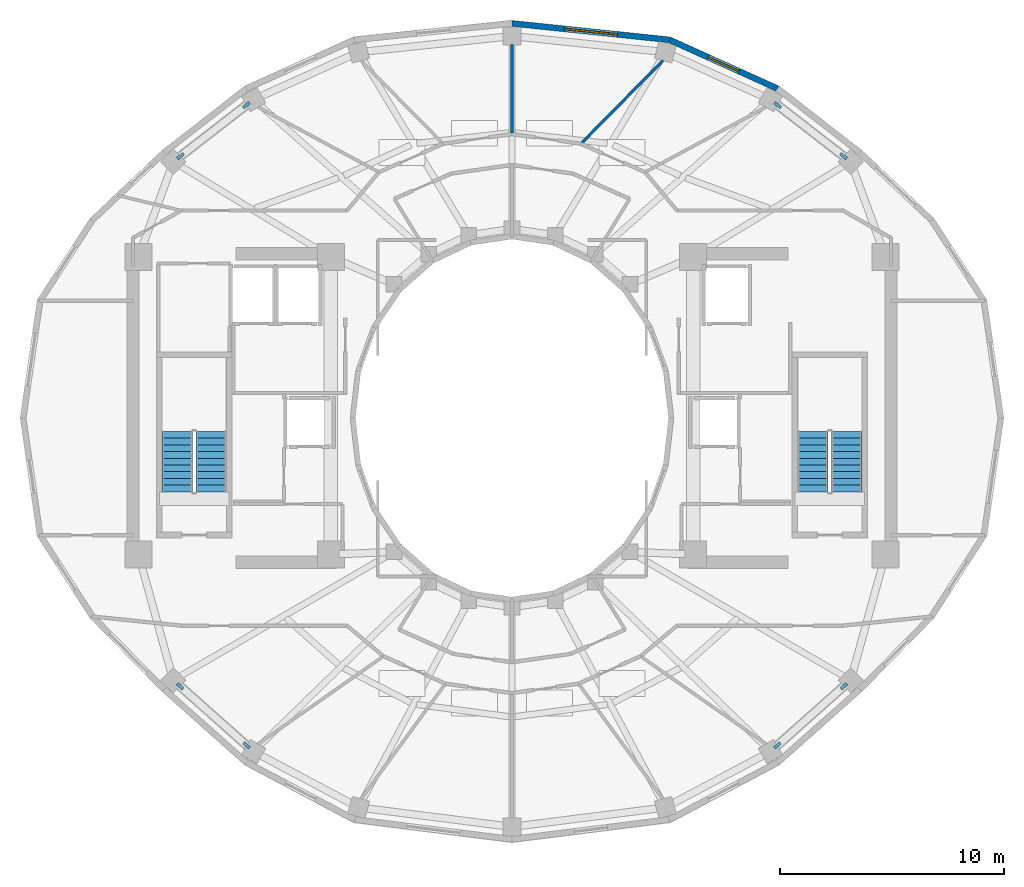
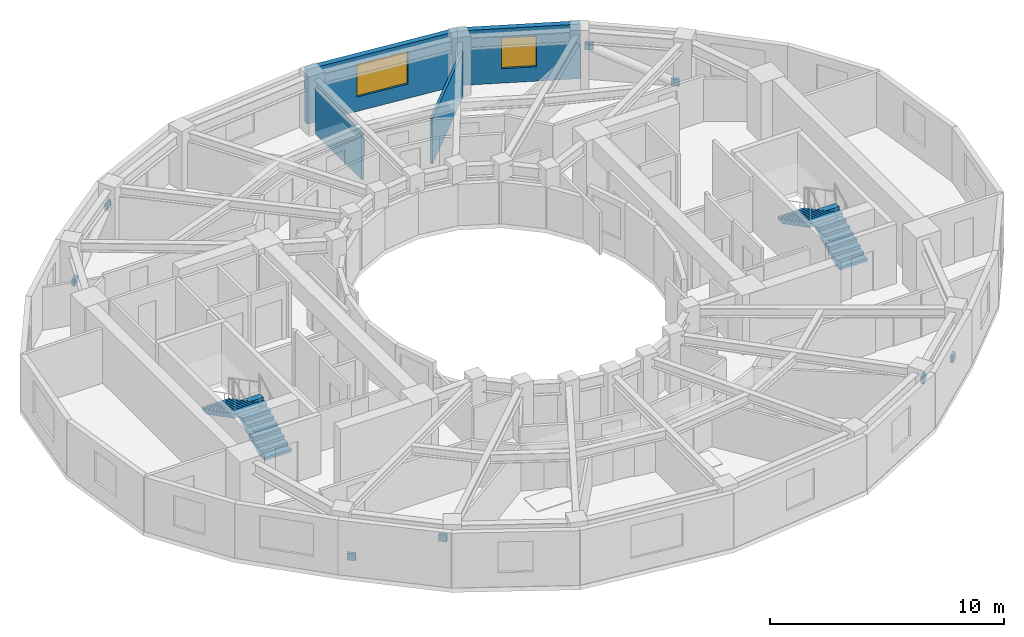
# One storey, part 7 of 9: 8 discrete accessories, 4 stair flights, 4 walls, 2 windows, 2 openings, 2 elements without a shape of their own.
"""IFC4 building model written with IfcOpenShell, lengths in metres."""

from ifc_helpers import new_model, si_unit, direction, frame, frame_2d, origin, origin_2d, place, context, subcontext, project, spatial, polyline, rectangle, outline, extrude, material, layer, layer_set, type_object, element, fill, aggregate, save


model = new_model("IFC4")

# Units and contexts
model_context = context("Model", 3, precision=1e-05, world=origin(), true_north=direction((0.0, 1.0)))
body_context = subcontext(model_context, "Body", "Model", "MODEL_VIEW")
ifc_project = project(units=[si_unit("LENGTHUNIT", "METRE"), si_unit("AREAUNIT", "SQUARE_METRE"), si_unit("VOLUMEUNIT", "CUBIC_METRE"), si_unit("PLANEANGLEUNIT", "RADIAN"), si_unit("MASSUNIT", "GRAM", prefix="KILO")], contexts=[model_context])

# Site, building, storey
site_placement = place(None, origin())
site = spatial("IfcSite", under=ifc_project, at=site_placement, CompositionType="ELEMENT")
building_placement = place(site_placement, origin())
building = spatial("IfcBuilding", under=site, at=building_placement, Name="Solvane Sanctuary Tower", CompositionType="ELEMENT")
storey_placement = place(building_placement, frame((0.0, 0.0, 229.5)))
storey = spatial("IfcBuildingStorey", under=building, at=storey_placement, Name="L70", CompositionType="ELEMENT", Elevation=229.5)

# Wall, opening, window
ifc_material_1 = material(Name="Precast concrete C40/50", Category="concrete")
ifc_layer_1 = layer(ifc_material_1, 0.260009765625, Name="Precast concrete C40/50")
ifc_layer_set_1 = layer_set([ifc_layer_1], Name="Precast concrete C40/50")
wall_type_1 = type_object("IfcWallType", Name="Wall W-EXT-250", PredefinedType="STANDARD", material=ifc_layer_set_1)
wall_1_placement = place(storey_placement, frame((43.8701171875, 37.732666015625, 0.0), z_axis=(0.0, 0.0, 1.0), x_axis=(-0.911427484938, 0.411460738952, 0.0)))
wall_1 = element("IfcWall", 1, at=wall_1_placement, inside=storey, type_object=wall_type_1, Name="L70 Ceramic-Printed Facade Wall 04", PredefinedType="STANDARD", context=body_context, shape_type="SweptSolid", body=[
    extrude(rectangle(XDim=5.296142578125, YDim=0.260009765625, at=frame_2d((2.64794921875, 0.0))), origin(), (0.0, 0.0, 1.0), 2.85009765625),
])
opening_1_placement = place(wall_1_placement, frame((1.898193359375, 0.0, 0.75)))
opening_1 = element("IfcOpeningElement", 2, at=opening_1_placement, cuts=wall_1, Name="Opening WN-OPER-1500", PredefinedType="OPENING", context=body_context, shape_type="SweptSolid", body=[
    extrude(rectangle(XDim=1.5, YDim=1.60009765625, at=frame_2d((0.75, 0.800048828125))), frame((0.0, 0.139892578125, 0.0), z_axis=(0.0, -1.0, 0.0), x_axis=(1.0, 0.0, 0.0)), (0.0, 0.0, 1.0), 0.280029296875),
])
ifc_material_2 = material(Name="Dark Ceramic-Fritted Low-E Glass", Category="glass")
window_type_1 = type_object("IfcWindowType", Name="Window WN-OPER-1500", PartitioningType="SINGLE_PANEL", PredefinedType="WINDOW", material=ifc_material_2)
window_1_placement = place(opening_1_placement, origin())
window_1 = element("IfcWindow", 3, at=window_1_placement, inside=storey, type_object=window_type_1, Name="L70 Operable Facade Window 04", OverallHeight=1.60009765625, OverallWidth=1.5, PartitioningType="SINGLE_PANEL", PredefinedType="WINDOW", context=body_context, shape_type="SweptSolid", body=[
    extrude(rectangle(XDim=1.5, YDim=1.60009765625, at=frame_2d((0.75, 0.800048828125))), frame((0.0, 0.030029296875, 0.0), z_axis=(0.0, -1.0, 0.0), x_axis=(1.0, 0.0, 0.0)), (0.0, 0.0, 1.0), 0.06005859375),
])
fill(opening_1, window_1)

wall_2_placement = place(storey_placement, frame((39.04296875, 39.911865234375, 0.0), z_axis=(0.0, 0.0, 1.0), x_axis=(-0.994582822721, 0.103947144014, 0.0)))
wall_2 = element("IfcWall", 4, at=wall_2_placement, inside=storey, type_object=wall_type_1, Name="L70 Ceramic-Printed Facade Wall 05", PredefinedType="STANDARD", context=body_context, shape_type="SweptSolid", body=[
    extrude(rectangle(XDim=7.081298828125, YDim=0.260009765625, at=frame_2d((3.54052734375, 0.0))), origin(), (0.0, 0.0, 1.0), 2.85009765625),
])
opening_2_placement = place(wall_2_placement, frame((2.3408203125, 0.0, 0.75)))
opening_2 = element("IfcOpeningElement", 5, at=opening_2_placement, cuts=wall_2, Name="Opening WN-RIB-2400", PredefinedType="OPENING", context=body_context, shape_type="SweptSolid", body=[
    extrude(rectangle(XDim=2.39990234375, YDim=1.699951171875, at=frame_2d((1.199951171875, 0.85009765625))), frame((0.0, 0.139892578125, 0.0), z_axis=(0.0, -1.0, 0.0), x_axis=(1.0, 0.0, 0.0)), (0.0, 0.0, 1.0), 0.280029296875),
])
window_type_2 = type_object("IfcWindowType", Name="Window WN-RIB-2400", PartitioningType="SINGLE_PANEL", PredefinedType="WINDOW", material=ifc_material_2)
window_2_placement = place(opening_2_placement, origin())
window_2 = element("IfcWindow", 6, at=window_2_placement, inside=storey, type_object=window_type_2, Name="L70 Operable Facade Window 05", OverallHeight=1.699951171875, OverallWidth=2.39990234375, PartitioningType="SINGLE_PANEL", PredefinedType="WINDOW", context=body_context, shape_type="SweptSolid", body=[
    extrude(rectangle(XDim=2.39990234375, YDim=1.699951171875, at=frame_2d((1.199951171875, 0.85009765625))), frame((0.0, 0.030029296875, 0.0), z_axis=(0.0, -1.0, 0.0), x_axis=(1.0, 0.0, 0.0)), (0.0, 0.0, 1.0), 0.06005859375),
])
fill(opening_2, window_2)

# Walls
ifc_material_3 = material(Name="Acoustic Gypsum Partition Board")
ifc_layer_2 = layer(ifc_material_3, 0.125, Name="Acoustic Gypsum Partition Board")
ifc_layer_set_2 = layer_set([ifc_layer_2], Name="Acoustic Gypsum Partition Board")
wall_type_2 = type_object("IfcWallType", Name="Wall W-PART-125", PredefinedType="PARTITIONING", material=ifc_layer_set_2)
wall_3_placement = place(storey_placement, frame((35.117919921875, 35.304443359375, 0.0), z_axis=(0.0, 0.0, 1.0), x_axis=(0.702191571271, 0.711988059756, 0.0)))
element("IfcWall", 7, at=wall_3_placement, inside=storey, type_object=wall_type_2, Name="L70 Radial Compartment Wall 075", PredefinedType="PARTITIONING", context=body_context, shape_type="SweptSolid", body=[
    extrude(rectangle(XDim=5.18359375, YDim=0.125, at=frame_2d((2.591796875, 0.0))), origin(), (0.0, 0.0, 1.0), 2.3759765625),
])
wall_4_placement = place(storey_placement, frame((32.0, 35.7529296875, 0.0), z_axis=(0.0, 0.0, 1.0), x_axis=(0.0, 1.0, 0.0)))
element("IfcWall", 8, at=wall_4_placement, inside=storey, type_object=wall_type_2, Name="L70 Radial Compartment Wall 090", PredefinedType="PARTITIONING", context=body_context, shape_type="SweptSolid", body=[
    extrude(rectangle(XDim=3.947021484375, YDim=0.125, at=frame_2d((1.9736328125, 0.0))), origin(), (0.0, 0.0, 1.0), 2.3759765625),
])

# Stair, stair flights
ifc_material_4 = material(Name="Concrete C45/55", Category="concrete")
stair_type = type_object("IfcStairType", Name="Stair ST-TOW", PredefinedType="HALF_TURN_STAIR", material=ifc_material_4)
stair_1_placement = place(storey_placement, origin())
stair_1 = element("IfcStair", 9, at=stair_1_placement, inside=storey, type_object=stair_type, Name="L70 Exit Stair ST-1 West Core", PredefinedType="HALF_TURN_STAIR")
stair_flight_type = type_object("IfcStairFlightType", Name="StairFlight SF-TOW", PredefinedType="STRAIGHT", material=ifc_material_4)
stair_flight_1_placement = place(storey_placement, frame((18.544921875, 19.699951171875, 0.0), z_axis=(0.0, 0.0, 1.0), x_axis=(0.0, 1.0, 0.0)))
stair_flight_1 = element("IfcStairFlight", 10, at=stair_flight_1_placement, type_object=stair_flight_type, Name="ST-1 flight 1", NumberOfRisers=10, NumberOfTreads=9, PredefinedType="STRAIGHT", RiserHeight=0.155, TreadLength=0.3, context=body_context, shape_type="SweptSolid", body=[
    extrude(outline(polyline([(0.0, 0.0), (0.0, 0.155029296875), (0.300048828125, 0.155029296875), (0.300048828125, 0.31005859375), (0.60009765625, 0.31005859375), (0.60009765625, 0.465087890625), (0.89990234375, 0.465087890625), (0.89990234375, 0.6201171875), (1.199951171875, 0.6201171875), (1.199951171875, 0.77490234375), (1.5, 0.77490234375), (1.5, 0.929931640625), (1.800048828125, 0.929931640625), (1.800048828125, 1.0849609375), (2.10009765625, 1.0849609375), (2.10009765625, 1.239990234375), (2.39990234375, 1.239990234375), (2.39990234375, 1.39501953125), (2.699951171875, 1.39501953125), (2.699951171875, 1.550048828125), (2.699951171875, 1.1923828125), (0.39208984375, 0.0), (0.0, 0.0)])), frame((0.0, 0.675048828125, 0.0), z_axis=(0.0, -1.0, 0.0), x_axis=(1.0, 0.0, 0.0)), (0.0, 0.0, 1.0), 1.35009765625),
])
stair_flight_2_placement = place(storey_placement, frame((17.034912109375, 22.39990234375, 1.550048828125), z_axis=(0.0, 0.0, 1.0), x_axis=(0.0, -1.0, 0.0)))
stair_flight_2 = element("IfcStairFlight", 11, at=stair_flight_2_placement, type_object=stair_flight_type, Name="ST-1 flight 2", NumberOfRisers=10, NumberOfTreads=9, PredefinedType="STRAIGHT", RiserHeight=0.155, TreadLength=0.3, context=body_context, shape_type="SweptSolid", body=[
    extrude(outline(polyline([(0.0, 0.0), (0.0, 0.155029296875), (0.300048828125, 0.155029296875), (0.300048828125, 0.31005859375), (0.60009765625, 0.31005859375), (0.60009765625, 0.465087890625), (0.89990234375, 0.465087890625), (0.89990234375, 0.6201171875), (1.199951171875, 0.6201171875), (1.199951171875, 0.77490234375), (1.5, 0.77490234375), (1.5, 0.929931640625), (1.800048828125, 0.929931640625), (1.800048828125, 1.0849609375), (2.10009765625, 1.0849609375), (2.10009765625, 1.239990234375), (2.39990234375, 1.239990234375), (2.39990234375, 1.39501953125), (2.699951171875, 1.39501953125), (2.699951171875, 1.550048828125), (2.699951171875, 1.1923828125), (0.39208984375, 0.0), (0.0, 0.0)])), frame((0.0, 0.675048828125, 0.0), z_axis=(0.0, -1.0, 0.0), x_axis=(1.0, 0.0, 0.0)), (0.0, 0.0, 1.0), 1.35009765625),
])
aggregate(stair_1, [stair_flight_1, stair_flight_2])

stair_2_placement = place(storey_placement, origin())
stair_2 = element("IfcStair", 12, at=stair_2_placement, inside=storey, type_object=stair_type, Name="L70 Exit Stair ST-2 East Core", PredefinedType="HALF_TURN_STAIR")
stair_flight_3_placement = place(storey_placement, frame((46.965087890625, 19.699951171875, 0.0), z_axis=(0.0, 0.0, 1.0), x_axis=(0.0, 1.0, 0.0)))
stair_flight_3 = element("IfcStairFlight", 13, at=stair_flight_3_placement, type_object=stair_flight_type, Name="ST-2 flight 1", NumberOfRisers=10, NumberOfTreads=9, PredefinedType="STRAIGHT", RiserHeight=0.155, TreadLength=0.3, context=body_context, shape_type="SweptSolid", body=[
    extrude(outline(polyline([(0.0, 0.0), (0.0, 0.155029296875), (0.300048828125, 0.155029296875), (0.300048828125, 0.31005859375), (0.60009765625, 0.31005859375), (0.60009765625, 0.465087890625), (0.89990234375, 0.465087890625), (0.89990234375, 0.6201171875), (1.199951171875, 0.6201171875), (1.199951171875, 0.77490234375), (1.5, 0.77490234375), (1.5, 0.929931640625), (1.800048828125, 0.929931640625), (1.800048828125, 1.0849609375), (2.10009765625, 1.0849609375), (2.10009765625, 1.239990234375), (2.39990234375, 1.239990234375), (2.39990234375, 1.39501953125), (2.699951171875, 1.39501953125), (2.699951171875, 1.550048828125), (2.699951171875, 1.1923828125), (0.39208984375, 0.0), (0.0, 0.0)])), frame((0.0, 0.675048828125, 0.0), z_axis=(0.0, -1.0, 0.0), x_axis=(1.0, 0.0, 0.0)), (0.0, 0.0, 1.0), 1.35009765625),
])
stair_flight_4_placement = place(storey_placement, frame((45.455078125, 22.39990234375, 1.550048828125), z_axis=(0.0, 0.0, 1.0), x_axis=(0.0, -1.0, 0.0)))
stair_flight_4 = element("IfcStairFlight", 14, at=stair_flight_4_placement, type_object=stair_flight_type, Name="ST-2 flight 2", NumberOfRisers=10, NumberOfTreads=9, PredefinedType="STRAIGHT", RiserHeight=0.155, TreadLength=0.3, context=body_context, shape_type="SweptSolid", body=[
    extrude(outline(polyline([(0.0, 0.0), (0.0, 0.155029296875), (0.300048828125, 0.155029296875), (0.300048828125, 0.31005859375), (0.60009765625, 0.31005859375), (0.60009765625, 0.465087890625), (0.89990234375, 0.465087890625), (0.89990234375, 0.6201171875), (1.199951171875, 0.6201171875), (1.199951171875, 0.77490234375), (1.5, 0.77490234375), (1.5, 0.929931640625), (1.800048828125, 0.929931640625), (1.800048828125, 1.0849609375), (2.10009765625, 1.0849609375), (2.10009765625, 1.239990234375), (2.39990234375, 1.239990234375), (2.39990234375, 1.39501953125), (2.699951171875, 1.39501953125), (2.699951171875, 1.550048828125), (2.699951171875, 1.1923828125), (0.39208984375, 0.0), (0.0, 0.0)])), frame((0.0, 0.675048828125, 0.0), z_axis=(0.0, -1.0, 0.0), x_axis=(1.0, 0.0, 0.0)), (0.0, 0.0, 1.0), 1.35009765625),
])
aggregate(stair_2, [stair_flight_3, stair_flight_4])

# Discrete accessories
ifc_material_5 = material(Name="Steel ASTM A572 Grade 50", Category="steel")
ifc_layer_3 = layer(ifc_material_5, 0.360107421875, Name="Steel ASTM A572 Grade 50")
ifc_layer_set_3 = layer_set([ifc_layer_3], Name="Steel ASTM A572 Grade 50")
discrete_accessory_type = type_object("IfcDiscreteAccessoryType", Name="Accessory ACC-GUSSET-BRK", PredefinedType="BRACKET", material=ifc_layer_set_3)
for number, where, z_axis, x_axis, name in (
    (15, (46.822509765625, 34.71142578125, 0.3681640625), (0.0, 0.0, 1.0), (-0.790689573744, 0.612217280034, 0.0), "L70 Perimeter Braced-Tube Diagonal NE End Gusset Bracket A"),
    (16, (43.8779296875, 36.991455078125, 1.90185546875), (0.0, 0.0, 1.0), (-0.790689573744, 0.612217280034, 0.0), "L70 Perimeter Braced-Tube Diagonal NE End Gusset Bracket B"),
    (17, (17.177490234375, 34.71142578125, 0.3681640625), (0.0, 0.0, 1.0), (0.790689573744, 0.612217280034, 0.0), "L70 Perimeter Braced-Tube Diagonal NW End Gusset Bracket A"),
    (18, (20.1220703125, 36.991455078125, 1.90185546875), (0.0, 0.0, 1.0), (0.790689573744, 0.612217280034, 0.0), "L70 Perimeter Braced-Tube Diagonal NW End Gusset Bracket B"),
    (19, (17.157958984375, 11.009765625, 0.35791015625), (0.0, 0.0, 1.0), (0.747218420912, -0.664578536706, 0.0), "L70 Perimeter Braced-Tube Diagonal SW End Gusset Bracket A"),
    (20, (20.13623046875, 8.360595703125, 1.9091796875), (0.0, 0.0, 1.0), (0.747218420912, -0.664578536706, 0.0), "L70 Perimeter Braced-Tube Diagonal SW End Gusset Bracket B"),
    (21, (46.842041015625, 11.009765625, 0.35791015625), (0.0, 0.0, 1.0), (-0.747218420912, -0.664578536706, 0.0), "L70 Perimeter Braced-Tube Diagonal SE End Gusset Bracket A"),
    (22, (43.86376953125, 8.360595703125, 1.9091796875), (0.0, 0.0, 1.0), (-0.747218420912, -0.664578536706, 0.0), "L70 Perimeter Braced-Tube Diagonal SE End Gusset Bracket B"),
):
    element("IfcDiscreteAccessory", number, at=place(storey_placement, frame(where, z_axis=z_axis, x_axis=x_axis)), inside=storey, type_object=discrete_accessory_type, Name=name, PredefinedType="BRACKET", context=body_context, shape_type="SweptSolid", body=[
        extrude(rectangle(XDim=0.360107421875, YDim=0.139892578125, at=origin_2d()), origin(), (0.0, 0.0, 1.0), 0.360107421875),
    ])

save(model, "model.ifc")
